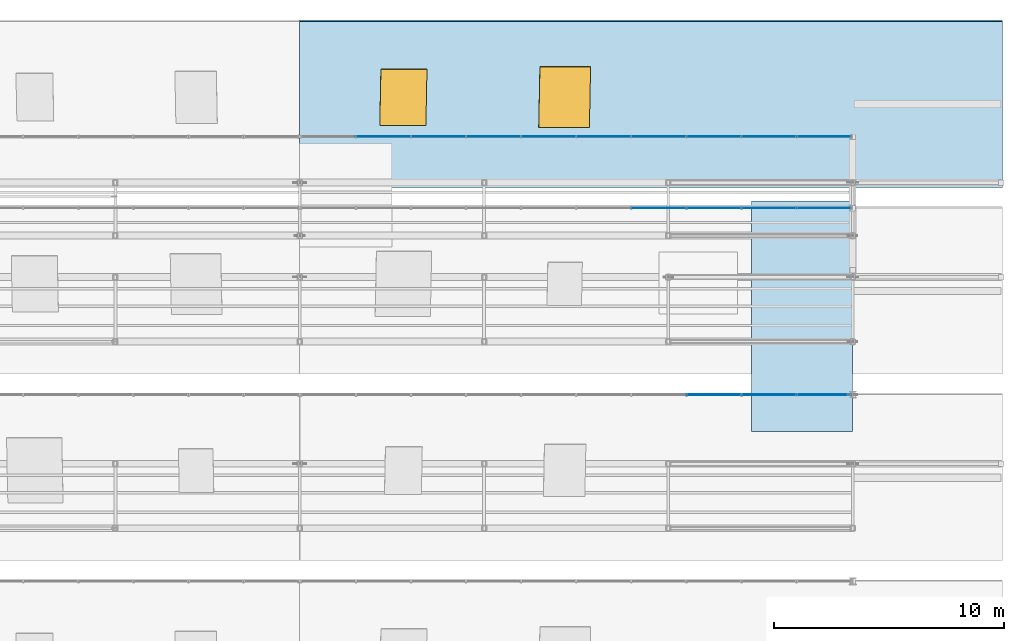
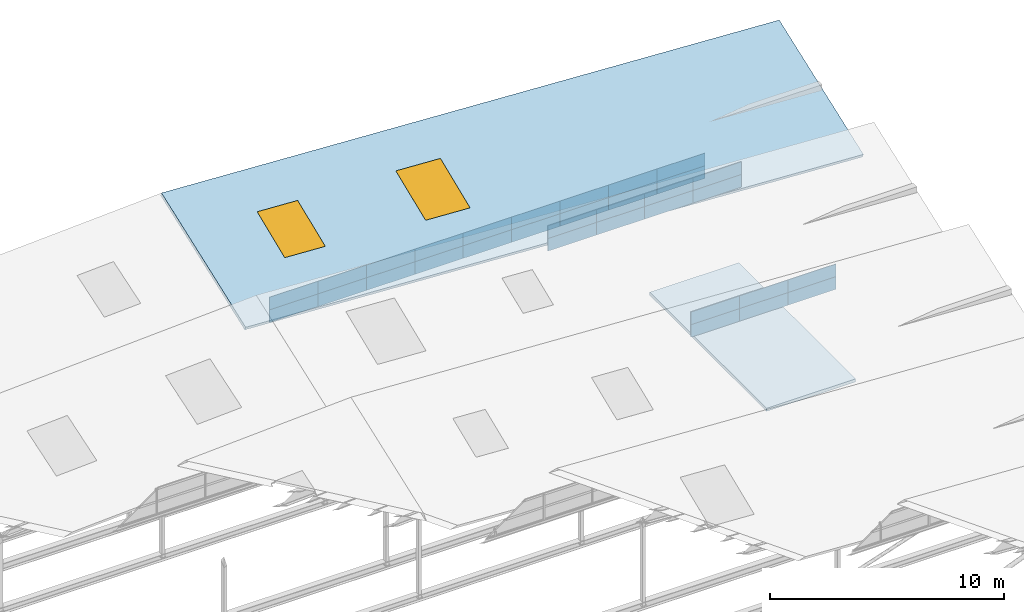
# One storey, part 131 of 141: 32 plates, 2 slabs, 2 windows, 2 openings, 4 elements without a shape of their own.
"""IFC4 building model written with IfcOpenShell, lengths in metres."""

from ifc_helpers import new_model, si_unit, direction, frame, origin, origin_2d, place, context, subcontext, project, spatial, polyline, rectangle, outline, extrude, material, layer, layer_set, type_object, element, fill, aggregate, save


model = new_model("IFC4")

# Units and contexts
model_context = context("Model", 3, precision=1e-05, world=origin(), true_north=direction((0.0, 1.0)))
body_context = subcontext(model_context, "Body", "Model", "MODEL_VIEW")
ifc_project = project(units=[si_unit("LENGTHUNIT", "METRE"), si_unit("AREAUNIT", "SQUARE_METRE"), si_unit("VOLUMEUNIT", "CUBIC_METRE"), si_unit("PLANEANGLEUNIT", "RADIAN"), si_unit("MASSUNIT", "GRAM", prefix="KILO")], contexts=[model_context])

# Site, building, storey
site_placement = place(None, origin())
site = spatial("IfcSite", under=ifc_project, at=site_placement, CompositionType="ELEMENT")
building_placement = place(site_placement, origin())
building = spatial("IfcBuilding", under=site, at=building_placement, Name="Sundkrona Museum", CompositionType="ELEMENT")
storey_placement = place(building_placement, frame((0.0, 0.0, 34.0)))
storey = spatial("IfcBuildingStorey", under=building, at=storey_placement, Name="RF", CompositionType="ELEMENT", Elevation=34.0)

# Curtain wall, plates
ifc_material_1 = material(Name="Unitised Aluminium-Steel and Ceramic-Clad Curtain Walling", Category="steel")
curtain_wall_type = type_object("IfcCurtainWallType", Name="CW-SW-240x13", PredefinedType="NOTDEFINED", material=ifc_material_1)
curtain_wall_1_placement = place(storey_placement, origin())
curtain_wall_1 = element("IfcCurtainWall", 1, at=curtain_wall_1_placement, inside=storey, type_object=curtain_wall_type, Name="Sawtooth Bay 5 East North-Light Clerestory", PredefinedType="NOTDEFINED")
ifc_material_2 = material(Name="North-Light Diffusing Triple Glazing 32 mm", Category="glass")
ifc_layer_1 = layer(ifc_material_2, 0.031982421875)
ifc_layer_set_1 = layer_set([ifc_layer_1], Name="North-Light Diffusing Triple Glazing 32 mm")
plate_type = type_object("IfcPlateType", Name="PN-GL-02", PredefinedType="CURTAIN_PANEL", material=ifc_layer_set_1)
plate_1_placement = place(storey_placement, frame((161.97509765625, 34.60009765625, 3.89306640625), z_axis=(0.0, 0.0, 1.0), x_axis=(1.0, 0.0, 0.0)))
plate_1 = element("IfcPlate", 2, at=plate_1_placement, type_object=plate_type, Name="CW-RF-SAW-05E Panel 15", PredefinedType="CURTAIN_PANEL", context=body_context, shape_type="SweptSolid", body=[
    extrude(rectangle(XDim=2.389892578125, YDim=0.031982421875, at=origin_2d()), origin(), (0.0, 0.0, 1.0), 0.659912109375),
])
plate_2_placement = place(storey_placement, frame((161.97509765625, 34.60009765625, 4.55322265625), z_axis=(0.0, 0.0, 1.0), x_axis=(1.0, 0.0, 0.0)))
plate_2 = element("IfcPlate", 3, at=plate_2_placement, type_object=plate_type, Name="CW-RF-SAW-05E Panel 16", PredefinedType="CURTAIN_PANEL", context=body_context, shape_type="SweptSolid", body=[
    extrude(rectangle(XDim=2.389892578125, YDim=0.031982421875, at=origin_2d()), origin(), (0.0, 0.0, 1.0), 0.659912109375),
])
plate_3_placement = place(storey_placement, frame((164.364990234375, 34.60009765625, 3.89306640625), z_axis=(0.0, 0.0, 1.0), x_axis=(1.0, 0.0, 0.0)))
plate_3 = element("IfcPlate", 4, at=plate_3_placement, type_object=plate_type, Name="CW-RF-SAW-05E Panel 17", PredefinedType="CURTAIN_PANEL", context=body_context, shape_type="SweptSolid", body=[
    extrude(rectangle(XDim=2.389892578125, YDim=0.031982421875, at=origin_2d()), origin(), (0.0, 0.0, 1.0), 0.659912109375),
])
plate_4_placement = place(storey_placement, frame((164.364990234375, 34.60009765625, 4.55322265625), z_axis=(0.0, 0.0, 1.0), x_axis=(1.0, 0.0, 0.0)))
plate_4 = element("IfcPlate", 5, at=plate_4_placement, type_object=plate_type, Name="CW-RF-SAW-05E Panel 18", PredefinedType="CURTAIN_PANEL", context=body_context, shape_type="SweptSolid", body=[
    extrude(rectangle(XDim=2.389892578125, YDim=0.031982421875, at=origin_2d()), origin(), (0.0, 0.0, 1.0), 0.659912109375),
])
plate_5_placement = place(storey_placement, frame((166.7548828125, 34.60009765625, 3.89306640625), z_axis=(0.0, 0.0, 1.0), x_axis=(1.0, 0.0, 0.0)))
plate_5 = element("IfcPlate", 6, at=plate_5_placement, type_object=plate_type, Name="CW-RF-SAW-05E Panel 19", PredefinedType="CURTAIN_PANEL", context=body_context, shape_type="SweptSolid", body=[
    extrude(rectangle(XDim=2.389892578125, YDim=0.031982421875, at=origin_2d()), origin(), (0.0, 0.0, 1.0), 0.659912109375),
])
plate_6_placement = place(storey_placement, frame((166.7548828125, 34.60009765625, 4.55322265625), z_axis=(0.0, 0.0, 1.0), x_axis=(1.0, 0.0, 0.0)))
plate_6 = element("IfcPlate", 7, at=plate_6_placement, type_object=plate_type, Name="CW-RF-SAW-05E Panel 20", PredefinedType="CURTAIN_PANEL", context=body_context, shape_type="SweptSolid", body=[
    extrude(rectangle(XDim=2.389892578125, YDim=0.031982421875, at=origin_2d()), origin(), (0.0, 0.0, 1.0), 0.659912109375),
])
aggregate(curtain_wall_1, [plate_1, plate_2, plate_3, plate_4, plate_5, plate_6])

curtain_wall_2_placement = place(storey_placement, origin())
curtain_wall_2 = element("IfcCurtainWall", 8, at=curtain_wall_2_placement, inside=storey, type_object=curtain_wall_type, Name="Sawtooth Bay 6 East North-Light Clerestory", PredefinedType="NOTDEFINED")
plate_7_placement = place(storey_placement, frame((159.5849609375, 42.699951171875, 4.31298828125), z_axis=(0.0, 0.0, 1.0), x_axis=(1.0, 0.0, 0.0)))
plate_7 = element("IfcPlate", 9, at=plate_7_placement, type_object=plate_type, Name="CW-RF-SAW-06E Panel 13", PredefinedType="CURTAIN_PANEL", context=body_context, shape_type="SweptSolid", body=[
    extrude(rectangle(XDim=2.389892578125, YDim=0.031982421875, at=origin_2d()), origin(), (0.0, 0.0, 1.0), 0.659912109375),
])
plate_8_placement = place(storey_placement, frame((159.5849609375, 42.699951171875, 4.97314453125), z_axis=(0.0, 0.0, 1.0), x_axis=(1.0, 0.0, 0.0)))
plate_8 = element("IfcPlate", 10, at=plate_8_placement, type_object=plate_type, Name="CW-RF-SAW-06E Panel 14", PredefinedType="CURTAIN_PANEL", context=body_context, shape_type="SweptSolid", body=[
    extrude(rectangle(XDim=2.389892578125, YDim=0.031982421875, at=origin_2d()), origin(), (0.0, 0.0, 1.0), 0.659912109375),
])
plate_9_placement = place(storey_placement, frame((161.97509765625, 42.699951171875, 4.31298828125), z_axis=(0.0, 0.0, 1.0), x_axis=(1.0, 0.0, 0.0)))
plate_9 = element("IfcPlate", 11, at=plate_9_placement, type_object=plate_type, Name="CW-RF-SAW-06E Panel 15", PredefinedType="CURTAIN_PANEL", context=body_context, shape_type="SweptSolid", body=[
    extrude(rectangle(XDim=2.389892578125, YDim=0.031982421875, at=origin_2d()), origin(), (0.0, 0.0, 1.0), 0.659912109375),
])
plate_10_placement = place(storey_placement, frame((161.97509765625, 42.699951171875, 4.97314453125), z_axis=(0.0, 0.0, 1.0), x_axis=(1.0, 0.0, 0.0)))
plate_10 = element("IfcPlate", 12, at=plate_10_placement, type_object=plate_type, Name="CW-RF-SAW-06E Panel 16", PredefinedType="CURTAIN_PANEL", context=body_context, shape_type="SweptSolid", body=[
    extrude(rectangle(XDim=2.389892578125, YDim=0.031982421875, at=origin_2d()), origin(), (0.0, 0.0, 1.0), 0.659912109375),
])
plate_11_placement = place(storey_placement, frame((164.364990234375, 42.699951171875, 4.31298828125), z_axis=(0.0, 0.0, 1.0), x_axis=(1.0, 0.0, 0.0)))
plate_11 = element("IfcPlate", 13, at=plate_11_placement, type_object=plate_type, Name="CW-RF-SAW-06E Panel 17", PredefinedType="CURTAIN_PANEL", context=body_context, shape_type="SweptSolid", body=[
    extrude(rectangle(XDim=2.389892578125, YDim=0.031982421875, at=origin_2d()), origin(), (0.0, 0.0, 1.0), 0.659912109375),
])
plate_12_placement = place(storey_placement, frame((164.364990234375, 42.699951171875, 4.97314453125), z_axis=(0.0, 0.0, 1.0), x_axis=(1.0, 0.0, 0.0)))
plate_12 = element("IfcPlate", 14, at=plate_12_placement, type_object=plate_type, Name="CW-RF-SAW-06E Panel 18", PredefinedType="CURTAIN_PANEL", context=body_context, shape_type="SweptSolid", body=[
    extrude(rectangle(XDim=2.389892578125, YDim=0.031982421875, at=origin_2d()), origin(), (0.0, 0.0, 1.0), 0.659912109375),
])
plate_13_placement = place(storey_placement, frame((166.7548828125, 42.699951171875, 4.31298828125), z_axis=(0.0, 0.0, 1.0), x_axis=(1.0, 0.0, 0.0)))
plate_13 = element("IfcPlate", 15, at=plate_13_placement, type_object=plate_type, Name="CW-RF-SAW-06E Panel 19", PredefinedType="CURTAIN_PANEL", context=body_context, shape_type="SweptSolid", body=[
    extrude(rectangle(XDim=2.389892578125, YDim=0.031982421875, at=origin_2d()), origin(), (0.0, 0.0, 1.0), 0.659912109375),
])
plate_14_placement = place(storey_placement, frame((166.7548828125, 42.699951171875, 4.97314453125), z_axis=(0.0, 0.0, 1.0), x_axis=(1.0, 0.0, 0.0)))
plate_14 = element("IfcPlate", 16, at=plate_14_placement, type_object=plate_type, Name="CW-RF-SAW-06E Panel 20", PredefinedType="CURTAIN_PANEL", context=body_context, shape_type="SweptSolid", body=[
    extrude(rectangle(XDim=2.389892578125, YDim=0.031982421875, at=origin_2d()), origin(), (0.0, 0.0, 1.0), 0.659912109375),
])
aggregate(curtain_wall_2, [plate_7, plate_8, plate_9, plate_10, plate_11, plate_12, plate_13, plate_14])

curtain_wall_3_placement = place(storey_placement, origin())
curtain_wall_3 = element("IfcCurtainWall", 17, at=curtain_wall_3_placement, inside=storey, type_object=curtain_wall_type, Name="Sawtooth Bay 7 East North-Light Clerestory", PredefinedType="NOTDEFINED")
plate_15_placement = place(storey_placement, frame((147.635009765625, 45.800048828125, 2.89306640625), z_axis=(0.0, 0.0, 1.0), x_axis=(1.0, 0.0, 0.0)))
plate_15 = element("IfcPlate", 18, at=plate_15_placement, type_object=plate_type, Name="CW-RF-SAW-07E Panel 03", PredefinedType="CURTAIN_PANEL", context=body_context, shape_type="SweptSolid", body=[
    extrude(rectangle(XDim=2.389892578125, YDim=0.031982421875, at=origin_2d()), origin(), (0.0, 0.0, 1.0), 0.659912109375),
])
plate_16_placement = place(storey_placement, frame((147.635009765625, 45.800048828125, 3.55322265625), z_axis=(0.0, 0.0, 1.0), x_axis=(1.0, 0.0, 0.0)))
plate_16 = element("IfcPlate", 19, at=plate_16_placement, type_object=plate_type, Name="CW-RF-SAW-07E Panel 04", PredefinedType="CURTAIN_PANEL", context=body_context, shape_type="SweptSolid", body=[
    extrude(rectangle(XDim=2.389892578125, YDim=0.031982421875, at=origin_2d()), origin(), (0.0, 0.0, 1.0), 0.659912109375),
])
plate_17_placement = place(storey_placement, frame((150.02490234375, 45.800048828125, 2.89306640625), z_axis=(0.0, 0.0, 1.0), x_axis=(1.0, 0.0, 0.0)))
plate_17 = element("IfcPlate", 20, at=plate_17_placement, type_object=plate_type, Name="CW-RF-SAW-07E Panel 05", PredefinedType="CURTAIN_PANEL", context=body_context, shape_type="SweptSolid", body=[
    extrude(rectangle(XDim=2.389892578125, YDim=0.031982421875, at=origin_2d()), origin(), (0.0, 0.0, 1.0), 0.659912109375),
])
plate_18_placement = place(storey_placement, frame((150.02490234375, 45.800048828125, 3.55322265625), z_axis=(0.0, 0.0, 1.0), x_axis=(1.0, 0.0, 0.0)))
plate_18 = element("IfcPlate", 21, at=plate_18_placement, type_object=plate_type, Name="CW-RF-SAW-07E Panel 06", PredefinedType="CURTAIN_PANEL", context=body_context, shape_type="SweptSolid", body=[
    extrude(rectangle(XDim=2.389892578125, YDim=0.031982421875, at=origin_2d()), origin(), (0.0, 0.0, 1.0), 0.659912109375),
])
plate_19_placement = place(storey_placement, frame((152.4150390625, 45.800048828125, 2.89306640625), z_axis=(0.0, 0.0, 1.0), x_axis=(1.0, 0.0, 0.0)))
plate_19 = element("IfcPlate", 22, at=plate_19_placement, type_object=plate_type, Name="CW-RF-SAW-07E Panel 07", PredefinedType="CURTAIN_PANEL", context=body_context, shape_type="SweptSolid", body=[
    extrude(rectangle(XDim=2.389892578125, YDim=0.031982421875, at=origin_2d()), origin(), (0.0, 0.0, 1.0), 0.659912109375),
])
plate_20_placement = place(storey_placement, frame((152.4150390625, 45.800048828125, 3.55322265625), z_axis=(0.0, 0.0, 1.0), x_axis=(1.0, 0.0, 0.0)))
plate_20 = element("IfcPlate", 23, at=plate_20_placement, type_object=plate_type, Name="CW-RF-SAW-07E Panel 08", PredefinedType="CURTAIN_PANEL", context=body_context, shape_type="SweptSolid", body=[
    extrude(rectangle(XDim=2.389892578125, YDim=0.031982421875, at=origin_2d()), origin(), (0.0, 0.0, 1.0), 0.659912109375),
])
plate_21_placement = place(storey_placement, frame((154.804931640625, 45.800048828125, 2.89306640625), z_axis=(0.0, 0.0, 1.0), x_axis=(1.0, 0.0, 0.0)))
plate_21 = element("IfcPlate", 24, at=plate_21_placement, type_object=plate_type, Name="CW-RF-SAW-07E Panel 09", PredefinedType="CURTAIN_PANEL", context=body_context, shape_type="SweptSolid", body=[
    extrude(rectangle(XDim=2.389892578125, YDim=0.031982421875, at=origin_2d()), origin(), (0.0, 0.0, 1.0), 0.659912109375),
])
plate_22_placement = place(storey_placement, frame((154.804931640625, 45.800048828125, 3.55322265625), z_axis=(0.0, 0.0, 1.0), x_axis=(1.0, 0.0, 0.0)))
plate_22 = element("IfcPlate", 25, at=plate_22_placement, type_object=plate_type, Name="CW-RF-SAW-07E Panel 10", PredefinedType="CURTAIN_PANEL", context=body_context, shape_type="SweptSolid", body=[
    extrude(rectangle(XDim=2.389892578125, YDim=0.031982421875, at=origin_2d()), origin(), (0.0, 0.0, 1.0), 0.659912109375),
])
plate_23_placement = place(storey_placement, frame((157.195068359375, 45.800048828125, 2.89306640625), z_axis=(0.0, 0.0, 1.0), x_axis=(1.0, 0.0, 0.0)))
plate_23 = element("IfcPlate", 26, at=plate_23_placement, type_object=plate_type, Name="CW-RF-SAW-07E Panel 11", PredefinedType="CURTAIN_PANEL", context=body_context, shape_type="SweptSolid", body=[
    extrude(rectangle(XDim=2.389892578125, YDim=0.031982421875, at=origin_2d()), origin(), (0.0, 0.0, 1.0), 0.659912109375),
])
plate_24_placement = place(storey_placement, frame((157.195068359375, 45.800048828125, 3.55322265625), z_axis=(0.0, 0.0, 1.0), x_axis=(1.0, 0.0, 0.0)))
plate_24 = element("IfcPlate", 27, at=plate_24_placement, type_object=plate_type, Name="CW-RF-SAW-07E Panel 12", PredefinedType="CURTAIN_PANEL", context=body_context, shape_type="SweptSolid", body=[
    extrude(rectangle(XDim=2.389892578125, YDim=0.031982421875, at=origin_2d()), origin(), (0.0, 0.0, 1.0), 0.659912109375),
])
plate_25_placement = place(storey_placement, frame((159.5849609375, 45.800048828125, 2.89306640625), z_axis=(0.0, 0.0, 1.0), x_axis=(1.0, 0.0, 0.0)))
plate_25 = element("IfcPlate", 28, at=plate_25_placement, type_object=plate_type, Name="CW-RF-SAW-07E Panel 13", PredefinedType="CURTAIN_PANEL", context=body_context, shape_type="SweptSolid", body=[
    extrude(rectangle(XDim=2.389892578125, YDim=0.031982421875, at=origin_2d()), origin(), (0.0, 0.0, 1.0), 0.659912109375),
])
plate_26_placement = place(storey_placement, frame((159.5849609375, 45.800048828125, 3.55322265625), z_axis=(0.0, 0.0, 1.0), x_axis=(1.0, 0.0, 0.0)))
plate_26 = element("IfcPlate", 29, at=plate_26_placement, type_object=plate_type, Name="CW-RF-SAW-07E Panel 14", PredefinedType="CURTAIN_PANEL", context=body_context, shape_type="SweptSolid", body=[
    extrude(rectangle(XDim=2.389892578125, YDim=0.031982421875, at=origin_2d()), origin(), (0.0, 0.0, 1.0), 0.659912109375),
])
plate_27_placement = place(storey_placement, frame((161.97509765625, 45.800048828125, 2.89306640625), z_axis=(0.0, 0.0, 1.0), x_axis=(1.0, 0.0, 0.0)))
plate_27 = element("IfcPlate", 30, at=plate_27_placement, type_object=plate_type, Name="CW-RF-SAW-07E Panel 15", PredefinedType="CURTAIN_PANEL", context=body_context, shape_type="SweptSolid", body=[
    extrude(rectangle(XDim=2.389892578125, YDim=0.031982421875, at=origin_2d()), origin(), (0.0, 0.0, 1.0), 0.659912109375),
])
plate_28_placement = place(storey_placement, frame((161.97509765625, 45.800048828125, 3.55322265625), z_axis=(0.0, 0.0, 1.0), x_axis=(1.0, 0.0, 0.0)))
plate_28 = element("IfcPlate", 31, at=plate_28_placement, type_object=plate_type, Name="CW-RF-SAW-07E Panel 16", PredefinedType="CURTAIN_PANEL", context=body_context, shape_type="SweptSolid", body=[
    extrude(rectangle(XDim=2.389892578125, YDim=0.031982421875, at=origin_2d()), origin(), (0.0, 0.0, 1.0), 0.659912109375),
])
plate_29_placement = place(storey_placement, frame((164.364990234375, 45.800048828125, 2.89306640625), z_axis=(0.0, 0.0, 1.0), x_axis=(1.0, 0.0, 0.0)))
plate_29 = element("IfcPlate", 32, at=plate_29_placement, type_object=plate_type, Name="CW-RF-SAW-07E Panel 17", PredefinedType="CURTAIN_PANEL", context=body_context, shape_type="SweptSolid", body=[
    extrude(rectangle(XDim=2.389892578125, YDim=0.031982421875, at=origin_2d()), origin(), (0.0, 0.0, 1.0), 0.659912109375),
])
plate_30_placement = place(storey_placement, frame((164.364990234375, 45.800048828125, 3.55322265625), z_axis=(0.0, 0.0, 1.0), x_axis=(1.0, 0.0, 0.0)))
plate_30 = element("IfcPlate", 33, at=plate_30_placement, type_object=plate_type, Name="CW-RF-SAW-07E Panel 18", PredefinedType="CURTAIN_PANEL", context=body_context, shape_type="SweptSolid", body=[
    extrude(rectangle(XDim=2.389892578125, YDim=0.031982421875, at=origin_2d()), origin(), (0.0, 0.0, 1.0), 0.659912109375),
])
plate_31_placement = place(storey_placement, frame((166.7548828125, 45.800048828125, 2.89306640625), z_axis=(0.0, 0.0, 1.0), x_axis=(1.0, 0.0, 0.0)))
plate_31 = element("IfcPlate", 34, at=plate_31_placement, type_object=plate_type, Name="CW-RF-SAW-07E Panel 19", PredefinedType="CURTAIN_PANEL", context=body_context, shape_type="SweptSolid", body=[
    extrude(rectangle(XDim=2.389892578125, YDim=0.031982421875, at=origin_2d()), origin(), (0.0, 0.0, 1.0), 0.659912109375),
])
plate_32_placement = place(storey_placement, frame((166.7548828125, 45.800048828125, 3.55322265625), z_axis=(0.0, 0.0, 1.0), x_axis=(1.0, 0.0, 0.0)))
plate_32 = element("IfcPlate", 35, at=plate_32_placement, type_object=plate_type, Name="CW-RF-SAW-07E Panel 20", PredefinedType="CURTAIN_PANEL", context=body_context, shape_type="SweptSolid", body=[
    extrude(rectangle(XDim=2.389892578125, YDim=0.031982421875, at=origin_2d()), origin(), (0.0, 0.0, 1.0), 0.659912109375),
])
aggregate(curtain_wall_3, [plate_15, plate_16, plate_17, plate_18, plate_19, plate_20, plate_21, plate_22, plate_23, plate_24, plate_25, plate_26, plate_27, plate_28, plate_29, plate_30, plate_31, plate_32])

# Slab
ifc_material_3 = material(Name="Concrete C35/45", Category="concrete")
ifc_layer_2 = layer(ifc_material_3, 0.159912109375)
ifc_layer_set_2 = layer_set([ifc_layer_2], Name="Concrete C35/45")
slab_type_1 = type_object("IfcSlabType", Name="SL-RF-160", PredefinedType="ROOF", material=ifc_layer_set_2)
slab_1_placement = place(storey_placement, origin())
element("IfcSlab", 36, at=slab_1_placement, inside=storey, type_object=slab_type_1, Name="Core ST-1 Stair Shaft Roof Cap Slab", PredefinedType="ROOF", context=body_context, shape_type="SweptSolid", body=[
    extrude(outline(polyline([(163.60009765625, 33.0), (168.0, 33.0), (168.0, 43.0), (163.60009765625, 43.0), (163.60009765625, 33.0)])), origin(), (0.0, 0.0, 1.0), 0.159912109375),
])

# Roof, slab, openings, windows
ifc_material_4 = material(Name="Patinated Copper and Composite Steel-Concrete", Category="concrete")
ifc_layer_3 = layer(ifc_material_4, 0.179931640625)
ifc_layer_set_3 = layer_set([ifc_layer_3], Name="Patinated Copper and Composite Steel-Concrete")
roof_type = type_object("IfcRoofType", Name="ROOF-PAV", PredefinedType="PAVILION_ROOF", material=ifc_layer_set_3)
roof_placement = place(storey_placement, origin())
roof = element("IfcRoof", 37, at=roof_placement, inside=storey, type_object=roof_type, Name="Volume 1 Crown Seven-Bay Sawtooth North-Light Roof", PredefinedType="PAVILION_ROOF")
ifc_layer_4 = layer(ifc_material_3, 0.179931640625)
ifc_layer_set_4 = layer_set([ifc_layer_4], Name="Concrete C35/45")
slab_type_2 = type_object("IfcSlabType", Name="SL-SW-180", PredefinedType="ROOF", material=ifc_layer_set_4)
slab_2_placement = place(storey_placement, frame((144.0, 43.60009765625, 4.820068359375), z_axis=(0.050704191351, -0.344963903747, 0.937245426818), x_axis=(0.998539819047, -1.292119e-06, -0.054020642131)))
slab_2 = element("IfcSlab", 38, at=slab_2_placement, type_object=slab_type_2, Name="Sawtooth Folded Blade 7 East", PredefinedType="ROOF", context=body_context, shape_type="SweptSolid", body=[
    extrude(outline(polyline([(0.0, 0.0), (30.544606453624603, 1.1102230246251565e-16), (30.401434535602995, 7.670858821203123), (-0.1431587293882732, 7.670774724492062), (0.0, 0.0)])), origin(), (0.0, 0.0, -1.0), 0.179931640625),
])
opening_1_placement = place(slab_2_placement, frame((4.428955078125, 4.155029296875, 0.010009765625)))
opening_1 = element("IfcOpeningElement", 39, at=opening_1_placement, cuts=slab_2, Name="Opening RL-200x260", PredefinedType="OPENING", context=body_context, shape_type="SweptSolid", body=[
    extrude(rectangle(XDim=2.0, YDim=2.60009765625, at=origin_2d()), origin(), (0.0, 0.0, -1.0), 0.199951171875),
])
opening_2_placement = place(slab_2_placement, frame((11.439208984375, 4.155029296875, 0.010009765625)))
opening_2 = element("IfcOpeningElement", 40, at=opening_2_placement, cuts=slab_2, Name="Opening RL-220x280", PredefinedType="OPENING", context=body_context, shape_type="SweptSolid", body=[
    extrude(rectangle(XDim=2.199951171875, YDim=2.800048828125, at=origin_2d()), origin(), (0.0, 0.0, -1.0), 0.199951171875),
])
ifc_material_5 = material(Name="Triple Laminated UV-Filtered Skylight Glazing", Category="glass")
window_type_1 = type_object("IfcWindowType", Name="RL-200x260", PartitioningType="SINGLE_PANEL", PredefinedType="SKYLIGHT", material=ifc_material_5)
window_1_placement = place(slab_2_placement, frame((4.428955078125, 4.155029296875, 0.0)))
window_1 = element("IfcWindow", 41, at=window_1_placement, inside=storey, type_object=window_type_1, Name="Rooflight", OverallHeight=2.60009765625, OverallWidth=2.0, PartitioningType="SINGLE_PANEL", PredefinedType="SKYLIGHT", context=body_context, shape_type="SweptSolid", body=[
    extrude(rectangle(XDim=2.0, YDim=2.60009765625, at=origin_2d()), origin(), (0.0, 0.0, -1.0), 0.06005859375),
])
fill(opening_1, window_1)
window_type_2 = type_object("IfcWindowType", Name="RL-220x280", PartitioningType="SINGLE_PANEL", PredefinedType="SKYLIGHT", material=ifc_material_5)
window_2_placement = place(slab_2_placement, frame((11.439208984375, 4.155029296875, 0.0)))
window_2 = element("IfcWindow", 42, at=window_2_placement, inside=storey, type_object=window_type_2, Name="Rooflight", OverallHeight=2.800048828125, OverallWidth=2.199951171875, PartitioningType="SINGLE_PANEL", PredefinedType="SKYLIGHT", context=body_context, shape_type="SweptSolid", body=[
    extrude(rectangle(XDim=2.199951171875, YDim=2.800048828125, at=origin_2d()), origin(), (0.0, 0.0, -1.0), 0.06005859375),
])
fill(opening_2, window_2)
aggregate(roof, [slab_2])

save(model, "model.ifc")
